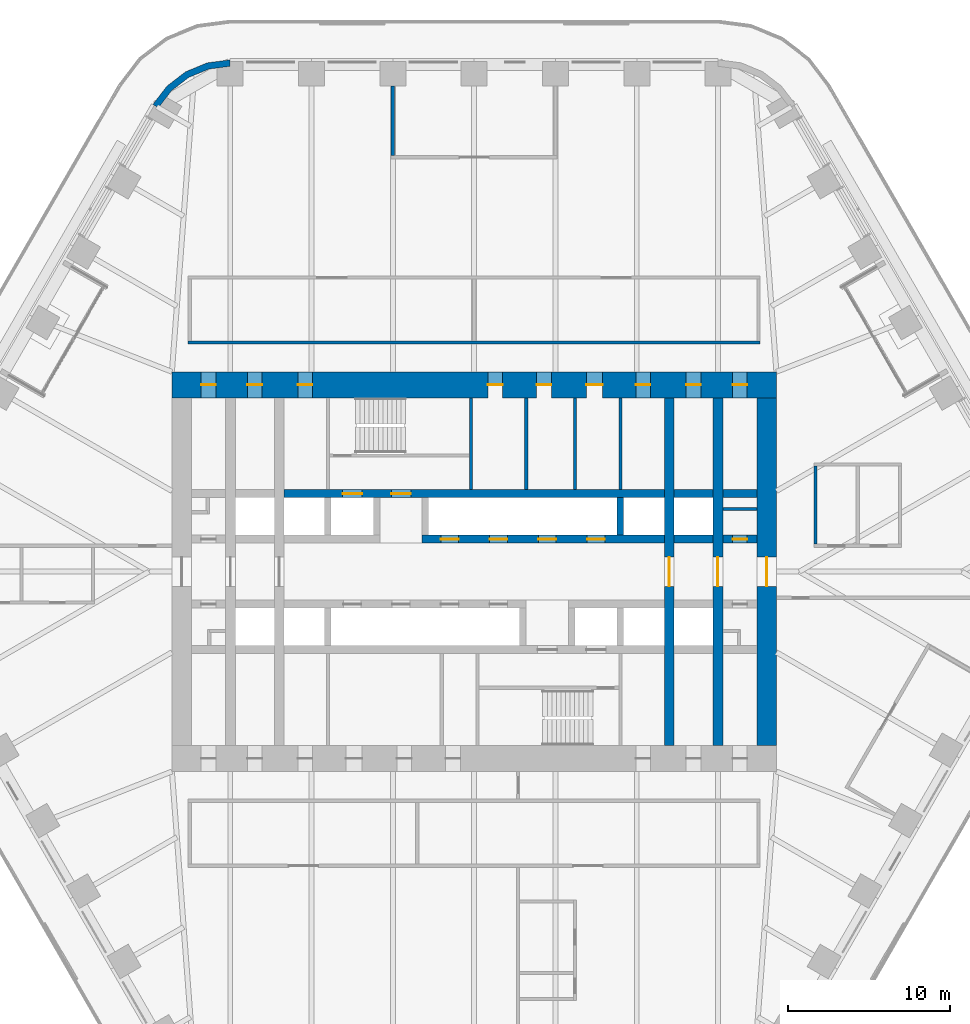
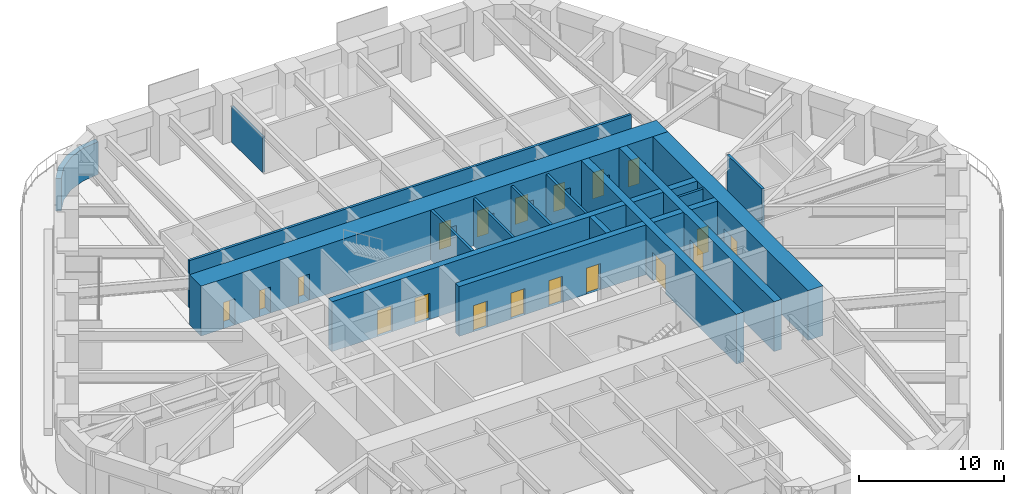
# One storey, part 20 of 24: 20 walls, 19 doors, 19 openings.
"""IFC4 building model written with IfcOpenShell, lengths in metres."""

from ifc_helpers import new_model, si_unit, direction, frame, frame_2d, origin, place, context, subcontext, project, spatial, polyline, rectangle, outline, extrude, material, layer, layer_set, type_object, element, fill, save


model = new_model("IFC4")

# Units and contexts
model_context = context("Model", 3, precision=1e-05, world=origin(), true_north=direction((0.0, 1.0)))
body_context = subcontext(model_context, "Body", "Model", "MODEL_VIEW")
ifc_project = project(units=[si_unit("LENGTHUNIT", "METRE"), si_unit("AREAUNIT", "SQUARE_METRE"), si_unit("VOLUMEUNIT", "CUBIC_METRE"), si_unit("PLANEANGLEUNIT", "RADIAN"), si_unit("MASSUNIT", "GRAM", prefix="KILO")], contexts=[model_context])

# Site, building, storey
site_placement = place(None, origin())
site = spatial("IfcSite", under=ifc_project, at=site_placement, CompositionType="ELEMENT")
building_placement = place(site_placement, origin())
building = spatial("IfcBuilding", under=site, at=building_placement, Name="Tarfa Lantern Tower", CompositionType="ELEMENT")
storey_placement = place(building_placement, frame((0.0, 0.0, 148.89990234375)))
storey = spatial("IfcBuildingStorey", under=building, at=storey_placement, Name="L33", CompositionType="ELEMENT", Elevation=148.89990234375)

# Walls
ifc_material_1 = material(Name="Limestone cladding on blockwork", Category="masonry")
ifc_layer_1 = layer(ifc_material_1, 0.39990234375)
ifc_layer_set_1 = layer_set([ifc_layer_1], Name="EW2 CURVED STONE CORNER 400")
wall_type_1 = type_object("IfcWallType", Name="EW2 CURVED STONE CORNER 400", PredefinedType="SOLIDWALL", material=ifc_layer_set_1)
wall_1_placement = place(storey_placement, origin())
element("IfcWall", 1, at=wall_1_placement, inside=storey, type_object=wall_type_1, Name="Stone corner N-NW", PredefinedType="SOLIDWALL", context=body_context, shape_type="SweptSolid", body=[
    extrude(outline(polyline([(-15.010986328125, 31.5), (-16.4345703125, 31.3125), (-17.760986328125, 30.76318359375), (-18.900146484375, 29.88916015625), (-19.774169921875, 28.75), (-19.427734375, 28.550048828125), (-18.617431640625, 29.606201171875), (-17.56103515625, 30.416748046875), (-16.3310546875, 30.92626953125), (-15.010986328125, 31.10009765625), (-15.010986328125, 31.5)])), origin(), (0.0, 0.0, 1.0), 2.75),
])
ifc_material_2 = material(Name="Concrete blockwork", Category="masonry")
ifc_layer_2 = layer(ifc_material_2, 0.199951171875)
ifc_layer_set_2 = layer_set([ifc_layer_2], Name="IW1 BLOCKWORK PARTITION 200 EI 120")
wall_type_2 = type_object("IfcWallType", Name="IW1 BLOCKWORK PARTITION 200 EI 120", PredefinedType="PARTITIONING", material=ifc_layer_set_2)
for number, where, z_axis, x_axis, name in (
    (2, (9.0, 5.050048828125, 0.0), (0.0, 0.0, 1.0), (0.0, 1.0, 0.0), "Core partition"),
    (3, (3.199951171875, 5.050048828125, 0.0), (0.0, 0.0, 1.0), (0.0, 1.0, 0.0), "Core partition"),
    (4, (6.199951171875, 5.050048828125, 0.0), (0.0, 0.0, 1.0), (0.0, 1.0, 0.0), "Core partition"),
):
    element("IfcWall", number, at=place(storey_placement, frame(where, z_axis=z_axis, x_axis=x_axis)), inside=storey, type_object=wall_type_2, Name=name, PredefinedType="PARTITIONING", context=body_context, shape_type="SweptSolid", body=[
        extrude(rectangle(XDim=5.64990234375, YDim=0.199951171875, at=frame_2d((2.824951171875, 0.0))), origin(), (0.0, 0.0, 1.0), 4.0),
    ])
wall_2_placement = place(storey_placement, frame((15.300048828125, 3.85009765625, 0.0), z_axis=(0.0, 0.0, 1.0), x_axis=(1.0, 0.0, 0.0)))
element("IfcWall", 5, at=wall_2_placement, inside=storey, type_object=wall_type_2, Name="Core partition", PredefinedType="PARTITIONING", context=body_context, shape_type="SweptSolid", body=[
    extrude(rectangle(XDim=2.099853515625, YDim=0.199951171875, at=frame_2d((1.0498046875, 0.0))), origin(), (0.0, 0.0, 1.0), 4.0),
])
ifc_material_3 = material(Name="Gypsum board on steel studs", Category="steel")
ifc_layer_3 = layer(ifc_material_3, 0.2099609375)
ifc_layer_set_3 = layer_set([ifc_layer_3], Name="IW2 ACOUSTIC PARTITION 200")
wall_type_3 = type_object("IfcWallType", Name="IW2 ACOUSTIC PARTITION 200", PredefinedType="PARTITIONING", material=ifc_layer_set_3)
wall_3_placement = place(storey_placement, frame((-17.60009765625, 14.10009765625, 0.0), z_axis=(0.0, 0.0, 1.0), x_axis=(1.0, 0.0, 0.0)))
element("IfcWall", 6, at=wall_3_placement, inside=storey, type_object=wall_type_3, Name="Partition", PredefinedType="PARTITIONING", context=body_context, shape_type="SweptSolid", body=[
    extrude(rectangle(XDim=35.2001953125, YDim=0.199951171875, at=frame_2d((17.60009765625, 0.0))), origin(), (0.0, 0.0, 1.0), 4.0),
])
wall_4_placement = place(storey_placement, frame((-5.003662109375, 25.60009765625, 0.0), z_axis=(0.0, 0.0, 1.0), x_axis=(0.0, 1.0, 0.0)))
element("IfcWall", 7, at=wall_4_placement, inside=storey, type_object=wall_type_3, Name="Partition", PredefinedType="PARTITIONING", context=body_context, shape_type="SweptSolid", body=[
    extrude(rectangle(XDim=4.2998046875, YDim=0.199951171875, at=frame_2d((2.14990234375, 0.0))), origin(), (0.0, 0.0, 1.0), 2.991943359375),
])
wall_5_placement = place(storey_placement, frame((21.0, 1.699951171875, 0.0), z_axis=(0.0, 0.0, 1.0), x_axis=(0.0, 1.0, 0.0)))
element("IfcWall", 8, at=wall_5_placement, inside=storey, type_object=wall_type_3, Name="Partition", PredefinedType="PARTITIONING", context=body_context, shape_type="SweptSolid", body=[
    extrude(rectangle(XDim=4.800048828125, YDim=0.199951171875, at=frame_2d((2.39990234375, 0.0))), origin(), (0.0, 0.0, 1.0), 4.0),
])

# Wall, opening, door
ifc_material_4 = material(Name="Concrete C80/95", Category="concrete")
ifc_layer_4 = layer(ifc_material_4, 1.199951171875)
ifc_layer_set_4 = layer_set([ifc_layer_4], Name="SW1 CORE WALL 1200")
wall_type_4 = type_object("IfcWallType", Name="SW1 CORE WALL 1200", PredefinedType="SHEAR", material=ifc_layer_set_4)
wall_6_placement = place(storey_placement, frame((18.0, -10.699951171875, 0.0), z_axis=(0.0, 0.0, 1.0), x_axis=(0.0, 1.0, 0.0)))
wall_6 = element("IfcWall", 9, at=wall_6_placement, inside=storey, type_object=wall_type_4, Name="Core wall E", PredefinedType="SHEAR", context=body_context, shape_type="SweptSolid", body=[
    extrude(rectangle(XDim=21.39990234375, YDim=1.199951171875, at=frame_2d((10.699951171875, 0.0))), origin(), (0.0, 0.0, 1.0), 4.2001953125),
])
opening_1_placement = place(wall_6_placement, frame((9.800048828125, 0.0, 0.0)))
opening_1 = element("IfcOpeningElement", 10, at=opening_1_placement, cuts=wall_6, Name="Opening D15", PredefinedType="OPENING", context=body_context, shape_type="SweptSolid", body=[
    extrude(rectangle(XDim=1.800048828125, YDim=2.39990234375, at=frame_2d((0.89990234375, 1.199951171875))), frame((0.0, 0.60986328125, 0.0), z_axis=(0.0, -1.0, 0.0), x_axis=(1.0, 0.0, 0.0)), (0.0, 0.0, 1.0), 1.219970703125),
])
ifc_material_5 = material(Name="Steel fire door", Category="steel")
door_type_1 = type_object("IfcDoorType", Name="DL1 LOBBY DOOR 1800x2400", OperationType="DOUBLE_DOOR_SINGLE_SWING", PredefinedType="DOOR", material=ifc_material_5)
door_1_placement = place(opening_1_placement, frame((1.800048828125, 0.0, 0.0), z_axis=(0.0, 0.0, 1.0), x_axis=(-1.0, 0.0, 0.0)))
door_1 = element("IfcDoor", 11, at=door_1_placement, inside=storey, type_object=door_type_1, Name="Lift lobby door", OperationType="DOUBLE_DOOR_SINGLE_SWING", OverallHeight=2.39990234375, OverallWidth=1.800048828125, PredefinedType="DOOR", context=body_context, shape_type="SweptSolid", body=[
    extrude(rectangle(XDim=1.800048828125, YDim=2.39990234375, at=frame_2d((0.89990234375, 1.199951171875))), frame((0.0, 0.02490234375, 0.0), z_axis=(0.0, -1.0, 0.0), x_axis=(1.0, 0.0, 0.0)), (0.0, 0.0, 1.0), 0.050048828125),
])
fill(opening_1, door_1)

# Wall
ifc_layer_5 = layer(ifc_material_4, 0.199951171875)
ifc_layer_set_5 = layer_set([ifc_layer_5], Name="SW12 CORE WALL 200")
wall_type_5 = type_object("IfcWallType", Name="SW12 CORE WALL 200", PredefinedType="SHEAR", material=ifc_layer_set_5)
wall_7_placement = place(storey_placement, frame((-0.199951171875, 5.050048828125, 0.0), z_axis=(0.0, 0.0, 1.0), x_axis=(0.0, 1.0, 0.0)))
element("IfcWall", 12, at=wall_7_placement, inside=storey, type_object=wall_type_5, Name="Core wall stair shaft N", PredefinedType="SHEAR", context=body_context, shape_type="SweptSolid", body=[
    extrude(rectangle(XDim=5.64990234375, YDim=0.199951171875, at=frame_2d((2.824951171875, 0.0))), origin(), (0.0, 0.0, 1.0), 4.2001953125),
])

# Wall, openings, doors
ifc_layer_6 = layer(ifc_material_4, 0.5)
ifc_layer_set_6 = layer_set([ifc_layer_6], Name="SW5 CORE WALL 500")
wall_type_6 = type_object("IfcWallType", Name="SW5 CORE WALL 500", PredefinedType="SHEAR", material=ifc_layer_set_6)
wall_8_placement = place(storey_placement, frame((-3.199951171875, 2.0, 0.0), z_axis=(0.0, 0.0, 1.0), x_axis=(1.0, 0.0, 0.0)))
wall_8 = element("IfcWall", 13, at=wall_8_placement, inside=storey, type_object=wall_type_6, Name="Core wall lobby east N", PredefinedType="SHEAR", context=body_context, shape_type="SweptSolid", body=[
    extrude(rectangle(XDim=14.89990234375, YDim=0.5, at=frame_2d((7.449951171875, 0.0))), origin(), (0.0, 0.0, 1.0), 4.2001953125),
])
opening_2_placement = place(wall_8_placement, frame((1.14990234375, 0.0, 0.0)))
opening_2 = element("IfcOpeningElement", 14, at=opening_2_placement, cuts=wall_8, Name="Opening LD03", PredefinedType="OPENING", context=body_context, shape_type="SweptSolid", body=[
    extrude(rectangle(XDim=1.10009765625, YDim=2.199951171875, at=frame_2d((0.550048828125, 1.10009765625))), frame((0.0, 0.260009765625, 0.0), z_axis=(0.0, -1.0, 0.0), x_axis=(1.0, 0.0, 0.0)), (0.0, 0.0, 1.0), 0.52001953125),
])
opening_3_placement = place(wall_8_placement, frame((4.14990234375, 0.0, 0.0)))
opening_3 = element("IfcOpeningElement", 15, at=opening_3_placement, cuts=wall_8, Name="Opening LD04", PredefinedType="OPENING", context=body_context, shape_type="SweptSolid", body=[
    extrude(rectangle(XDim=1.10009765625, YDim=2.199951171875, at=frame_2d((0.550048828125, 1.10009765625))), frame((0.0, 0.260009765625, 0.0), z_axis=(0.0, -1.0, 0.0), x_axis=(1.0, 0.0, 0.0)), (0.0, 0.0, 1.0), 0.52001953125),
])
opening_4_placement = place(wall_8_placement, frame((7.14990234375, 0.0, 0.0)))
opening_4 = element("IfcOpeningElement", 16, at=opening_4_placement, cuts=wall_8, Name="Opening LD05", PredefinedType="OPENING", context=body_context, shape_type="SweptSolid", body=[
    extrude(rectangle(XDim=1.10009765625, YDim=2.199951171875, at=frame_2d((0.550048828125, 1.10009765625))), frame((0.0, 0.260009765625, 0.0), z_axis=(0.0, -1.0, 0.0), x_axis=(1.0, 0.0, 0.0)), (0.0, 0.0, 1.0), 0.52001953125),
])
opening_5_placement = place(wall_8_placement, frame((10.14990234375, 0.0, 0.0)))
opening_5 = element("IfcOpeningElement", 17, at=opening_5_placement, cuts=wall_8, Name="Opening LD06", PredefinedType="OPENING", context=body_context, shape_type="SweptSolid", body=[
    extrude(rectangle(XDim=1.10009765625, YDim=2.199951171875, at=frame_2d((0.550048828125, 1.10009765625))), frame((0.0, 0.260009765625, 0.0), z_axis=(0.0, -1.0, 0.0), x_axis=(1.0, 0.0, 0.0)), (0.0, 0.0, 1.0), 0.52001953125),
])
ifc_material_6 = material(Name="Stainless steel lift door", Category="steel")
door_type_2 = type_object("IfcDoorType", Name="LD2 LIFT LANDING DOOR 1100x2200", OperationType="SLIDING_TO_LEFT", PredefinedType="DOOR", material=ifc_material_6)
door_2_placement = place(opening_2_placement, frame((1.10009765625, 0.0, 0.0), z_axis=(0.0, 0.0, 1.0), x_axis=(-1.0, 0.0, 0.0)))
door_2 = element("IfcDoor", 18, at=door_2_placement, inside=storey, type_object=door_type_2, Name="Landing door PB1", OperationType="SLIDING_TO_LEFT", OverallHeight=2.199951171875, OverallWidth=1.10009765625, PredefinedType="DOOR", context=body_context, shape_type="SweptSolid", body=[
    extrude(rectangle(XDim=1.10009765625, YDim=2.199951171875, at=frame_2d((0.550048828125, 1.10009765625))), frame((0.0, 0.02490234375, 0.0), z_axis=(0.0, -1.0, 0.0), x_axis=(1.0, 0.0, 0.0)), (0.0, 0.0, 1.0), 0.050048828125),
])
fill(opening_2, door_2)
door_3_placement = place(opening_3_placement, frame((1.10009765625, 0.0, 0.0), z_axis=(0.0, 0.0, 1.0), x_axis=(-1.0, 0.0, 0.0)))
door_3 = element("IfcDoor", 19, at=door_3_placement, inside=storey, type_object=door_type_2, Name="Landing door PB2", OperationType="SLIDING_TO_LEFT", OverallHeight=2.199951171875, OverallWidth=1.10009765625, PredefinedType="DOOR", context=body_context, shape_type="SweptSolid", body=[
    extrude(rectangle(XDim=1.10009765625, YDim=2.199951171875, at=frame_2d((0.550048828125, 1.10009765625))), frame((0.0, 0.02490234375, 0.0), z_axis=(0.0, -1.0, 0.0), x_axis=(1.0, 0.0, 0.0)), (0.0, 0.0, 1.0), 0.050048828125),
])
fill(opening_3, door_3)
door_4_placement = place(opening_4_placement, frame((1.10009765625, 0.0, 0.0), z_axis=(0.0, 0.0, 1.0), x_axis=(-1.0, 0.0, 0.0)))
door_4 = element("IfcDoor", 20, at=door_4_placement, inside=storey, type_object=door_type_2, Name="Landing door PB3", OperationType="SLIDING_TO_LEFT", OverallHeight=2.199951171875, OverallWidth=1.10009765625, PredefinedType="DOOR", context=body_context, shape_type="SweptSolid", body=[
    extrude(rectangle(XDim=1.10009765625, YDim=2.199951171875, at=frame_2d((0.550048828125, 1.10009765625))), frame((0.0, 0.02490234375, 0.0), z_axis=(0.0, -1.0, 0.0), x_axis=(1.0, 0.0, 0.0)), (0.0, 0.0, 1.0), 0.050048828125),
])
fill(opening_4, door_4)
door_5_placement = place(opening_5_placement, frame((1.10009765625, 0.0, 0.0), z_axis=(0.0, 0.0, 1.0), x_axis=(-1.0, 0.0, 0.0)))
door_5 = element("IfcDoor", 21, at=door_5_placement, inside=storey, type_object=door_type_2, Name="Landing door PB4", OperationType="SLIDING_TO_LEFT", OverallHeight=2.199951171875, OverallWidth=1.10009765625, PredefinedType="DOOR", context=body_context, shape_type="SweptSolid", body=[
    extrude(rectangle(XDim=1.10009765625, YDim=2.199951171875, at=frame_2d((0.550048828125, 1.10009765625))), frame((0.0, 0.02490234375, 0.0), z_axis=(0.0, -1.0, 0.0), x_axis=(1.0, 0.0, 0.0)), (0.0, 0.0, 1.0), 0.050048828125),
])
fill(opening_5, door_5)

# Wall
wall_9_placement = place(storey_placement, frame((12.300048828125, 2.0, 0.0), z_axis=(0.0, 0.0, 1.0), x_axis=(1.0, 0.0, 0.0)))
element("IfcWall", 22, at=wall_9_placement, inside=storey, type_object=wall_type_6, Name="Core wall lobby east N", PredefinedType="SHEAR", context=body_context, shape_type="SweptSolid", body=[
    extrude(rectangle(XDim=2.39990234375, YDim=0.5, at=frame_2d((1.199951171875, 0.0))), origin(), (0.0, 0.0, 1.0), 4.2001953125),
])

# Wall, opening, door
wall_10_placement = place(storey_placement, frame((15.300048828125, 2.0, 0.0), z_axis=(0.0, 0.0, 1.0), x_axis=(1.0, 0.0, 0.0)))
wall_10 = element("IfcWall", 23, at=wall_10_placement, inside=storey, type_object=wall_type_6, Name="Core wall lobby east N", PredefinedType="SHEAR", context=body_context, shape_type="SweptSolid", body=[
    extrude(rectangle(XDim=2.099853515625, YDim=0.5, at=frame_2d((1.0498046875, 0.0))), origin(), (0.0, 0.0, 1.0), 4.2001953125),
])
opening_6_placement = place(wall_10_placement, frame((0.60009765625, 0.0, 0.0)))
opening_6 = element("IfcOpeningElement", 24, at=opening_6_placement, cuts=wall_10, Name="Opening D17", PredefinedType="OPENING", context=body_context, shape_type="SweptSolid", body=[
    extrude(rectangle(XDim=0.89990234375, YDim=2.199951171875, at=frame_2d((0.449951171875, 1.10009765625))), frame((0.0, 0.260009765625, 0.0), z_axis=(0.0, -1.0, 0.0), x_axis=(1.0, 0.0, 0.0)), (0.0, 0.0, 1.0), 0.52001953125),
])
door_type_3 = type_object("IfcDoorType", Name="DF6 SERVICE ROOM DOOR 900x2200", OperationType="SINGLE_SWING_LEFT", PredefinedType="DOOR", material=ifc_material_5)
door_6_placement = place(opening_6_placement, origin())
door_6 = element("IfcDoor", 25, at=door_6_placement, inside=storey, type_object=door_type_3, Name="Service room door", OperationType="SINGLE_SWING_LEFT", OverallHeight=2.199951171875, OverallWidth=0.89990234375, PredefinedType="DOOR", context=body_context, shape_type="SweptSolid", body=[
    extrude(rectangle(XDim=0.89990234375, YDim=2.199951171875, at=frame_2d((0.449951171875, 1.10009765625))), frame((0.0, 0.02490234375, 0.0), z_axis=(0.0, -1.0, 0.0), x_axis=(1.0, 0.0, 0.0)), (0.0, 0.0, 1.0), 0.050048828125),
])
fill(opening_6, door_6)

# Wall, openings, doors
wall_11_placement = place(storey_placement, frame((-11.699951171875, 4.800048828125, 0.0), z_axis=(0.0, 0.0, 1.0), x_axis=(1.0, 0.0, 0.0)))
wall_11 = element("IfcWall", 26, at=wall_11_placement, inside=storey, type_object=wall_type_6, Name="Core wall rear N", PredefinedType="SHEAR", context=body_context, shape_type="SweptSolid", body=[
    extrude(rectangle(XDim=23.39990234375, YDim=0.5, at=frame_2d((11.699951171875, 0.0))), origin(), (0.0, 0.0, 1.0), 4.2001953125),
])
opening_7_placement = place(wall_11_placement, frame((6.60009765625, 0.0, 0.0)))
opening_7 = element("IfcOpeningElement", 27, at=opening_7_placement, cuts=wall_11, Name="Opening D13", PredefinedType="OPENING", context=body_context, shape_type="SweptSolid", body=[
    extrude(rectangle(XDim=1.199951171875, YDim=2.199951171875, at=frame_2d((0.60009765625, 1.10009765625))), frame((0.0, 0.260009765625, 0.0), z_axis=(0.0, -1.0, 0.0), x_axis=(1.0, 0.0, 0.0)), (0.0, 0.0, 1.0), 0.52001953125),
])
opening_8_placement = place(wall_11_placement, frame((3.60009765625, 0.0, 0.0)))
opening_8 = element("IfcOpeningElement", 28, at=opening_8_placement, cuts=wall_11, Name="Opening LD01", PredefinedType="OPENING", context=body_context, shape_type="SweptSolid", body=[
    extrude(rectangle(XDim=1.199951171875, YDim=2.199951171875, at=frame_2d((0.60009765625, 1.10009765625))), frame((0.0, 0.260009765625, 0.0), z_axis=(0.0, -1.0, 0.0), x_axis=(1.0, 0.0, 0.0)), (0.0, 0.0, 1.0), 0.52001953125),
])
door_type_4 = type_object("IfcDoorType", Name="DF1 FIREFIGHTING LOBBY DOOR 1200x2200", OperationType="SINGLE_SWING_LEFT", PredefinedType="DOOR", material=ifc_material_5)
door_7_placement = place(opening_7_placement, origin())
door_7 = element("IfcDoor", 29, at=door_7_placement, inside=storey, type_object=door_type_4, Name="Firefighting lobby door", OperationType="SINGLE_SWING_LEFT", OverallHeight=2.199951171875, OverallWidth=1.199951171875, PredefinedType="DOOR", context=body_context, shape_type="SweptSolid", body=[
    extrude(rectangle(XDim=1.199951171875, YDim=2.199951171875, at=frame_2d((0.60009765625, 1.10009765625))), frame((0.0, 0.02490234375, 0.0), z_axis=(0.0, -1.0, 0.0), x_axis=(1.0, 0.0, 0.0)), (0.0, 0.0, 1.0), 0.050048828125),
])
fill(opening_7, door_7)
door_type_5 = type_object("IfcDoorType", Name="LD1 LIFT LANDING DOOR 1200x2200", OperationType="SLIDING_TO_LEFT", PredefinedType="DOOR", material=ifc_material_6)
door_8_placement = place(opening_8_placement, origin())
door_8 = element("IfcDoor", 30, at=door_8_placement, inside=storey, type_object=door_type_5, Name="Landing door FL1", OperationType="SLIDING_TO_LEFT", OverallHeight=2.199951171875, OverallWidth=1.199951171875, PredefinedType="DOOR", context=body_context, shape_type="SweptSolid", body=[
    extrude(rectangle(XDim=1.199951171875, YDim=2.199951171875, at=frame_2d((0.60009765625, 1.10009765625))), frame((0.0, 0.02490234375, 0.0), z_axis=(0.0, -1.0, 0.0), x_axis=(1.0, 0.0, 0.0)), (0.0, 0.0, 1.0), 0.050048828125),
])
fill(opening_8, door_8)

# Walls
wall_12_placement = place(storey_placement, frame((12.300048828125, 4.800048828125, 0.0), z_axis=(0.0, 0.0, 1.0), x_axis=(1.0, 0.0, 0.0)))
element("IfcWall", 31, at=wall_12_placement, inside=storey, type_object=wall_type_6, Name="Core wall rear N", PredefinedType="SHEAR", context=body_context, shape_type="SweptSolid", body=[
    extrude(rectangle(XDim=2.39990234375, YDim=0.5, at=frame_2d((1.199951171875, 0.0))), origin(), (0.0, 0.0, 1.0), 4.2001953125),
])
wall_13_placement = place(storey_placement, frame((15.300048828125, 4.800048828125, 0.0), z_axis=(0.0, 0.0, 1.0), x_axis=(1.0, 0.0, 0.0)))
element("IfcWall", 32, at=wall_13_placement, inside=storey, type_object=wall_type_6, Name="Core wall rear N", PredefinedType="SHEAR", context=body_context, shape_type="SweptSolid", body=[
    extrude(rectangle(XDim=2.099853515625, YDim=0.5, at=frame_2d((1.0498046875, 0.0))), origin(), (0.0, 0.0, 1.0), 4.2001953125),
])
ifc_layer_7 = layer(ifc_material_4, 0.39990234375)
ifc_layer_set_7 = layer_set([ifc_layer_7], Name="SW6 CORE WALL 400")
wall_type_7 = type_object("IfcWallType", Name="SW6 CORE WALL 400", PredefinedType="SHEAR", material=ifc_layer_set_7)
wall_14_placement = place(storey_placement, frame((9.0, 2.25, 0.0), z_axis=(0.0, 0.0, 1.0), x_axis=(0.0, 1.0, 0.0)))
element("IfcWall", 33, at=wall_14_placement, inside=storey, type_object=wall_type_7, Name="Core wall divider N", PredefinedType="SHEAR", context=body_context, shape_type="SweptSolid", body=[
    extrude(rectangle(XDim=2.300048828125, YDim=0.39990234375, at=frame_2d((1.14990234375, 0.0))), origin(), (0.0, 0.0, 1.0), 4.2001953125),
])

# Wall, openings, doors
ifc_layer_8 = layer(ifc_material_4, 1.60009765625)
ifc_layer_set_8 = layer_set([ifc_layer_8], Name="SW7 CORE WALL 1600")
wall_type_8 = type_object("IfcWallType", Name="SW7 CORE WALL 1600", PredefinedType="SHEAR", material=ifc_layer_set_8)
wall_15_placement = place(storey_placement, frame((-18.60009765625, 11.5, 0.0), z_axis=(0.0, 0.0, 1.0), x_axis=(1.0, 0.0, 0.0)))
wall_15 = element("IfcWall", 34, at=wall_15_placement, inside=storey, type_object=wall_type_8, Name="Core wall N", PredefinedType="SHEAR", context=body_context, shape_type="SweptSolid", body=[
    extrude(rectangle(XDim=37.2001953125, YDim=1.60009765625, at=frame_2d((18.60009765625, 0.0))), origin(), (0.0, 0.0, 1.0), 4.2001953125),
])
opening_9_placement = place(wall_15_placement, frame((19.449951171875, 0.0, 0.0)))
opening_9 = element("IfcOpeningElement", 35, at=opening_9_placement, cuts=wall_15, Name="Opening D21", PredefinedType="OPENING", context=body_context, shape_type="SweptSolid", body=[
    extrude(rectangle(XDim=0.89990234375, YDim=2.199951171875, at=frame_2d((0.449951171875, 1.10009765625))), frame((0.0, 0.81005859375, 0.0), z_axis=(0.0, -1.0, 0.0), x_axis=(1.0, 0.0, 0.0)), (0.0, 0.0, 1.0), 1.6201171875),
])
opening_10_placement = place(wall_15_placement, frame((22.449951171875, 0.0, 0.0)))
opening_10 = element("IfcOpeningElement", 36, at=opening_10_placement, cuts=wall_15, Name="Opening D23", PredefinedType="OPENING", context=body_context, shape_type="SweptSolid", body=[
    extrude(rectangle(XDim=0.89990234375, YDim=2.199951171875, at=frame_2d((0.449951171875, 1.10009765625))), frame((0.0, 0.81005859375, 0.0), z_axis=(0.0, -1.0, 0.0), x_axis=(1.0, 0.0, 0.0)), (0.0, 0.0, 1.0), 1.6201171875),
])
opening_11_placement = place(wall_15_placement, frame((25.5, 0.0, 0.0)))
opening_11 = element("IfcOpeningElement", 37, at=opening_11_placement, cuts=wall_15, Name="Opening D25", PredefinedType="OPENING", context=body_context, shape_type="SweptSolid", body=[
    extrude(rectangle(XDim=1.0, YDim=2.199951171875, at=frame_2d((0.5, 1.10009765625))), frame((0.0, 0.81005859375, 0.0), z_axis=(0.0, -1.0, 0.0), x_axis=(1.0, 0.0, 0.0)), (0.0, 0.0, 1.0), 1.6201171875),
])
opening_12_placement = place(wall_15_placement, frame((1.800048828125, 0.0, 0.0)))
opening_12 = element("IfcOpeningElement", 38, at=opening_12_placement, cuts=wall_15, Name="Opening D11", PredefinedType="OPENING", context=body_context, shape_type="SweptSolid", body=[
    extrude(rectangle(XDim=0.89990234375, YDim=2.199951171875, at=frame_2d((0.449951171875, 1.10009765625))), frame((0.0, 0.81005859375, 0.0), z_axis=(0.0, -1.0, 0.0), x_axis=(1.0, 0.0, 0.0)), (0.0, 0.0, 1.0), 1.6201171875),
])
opening_13_placement = place(wall_15_placement, frame((4.64990234375, 0.0, 0.0)))
opening_13 = element("IfcOpeningElement", 39, at=opening_13_placement, cuts=wall_15, Name="Opening D07", PredefinedType="OPENING", context=body_context, shape_type="SweptSolid", body=[
    extrude(rectangle(XDim=0.89990234375, YDim=2.199951171875, at=frame_2d((0.449951171875, 1.10009765625))), frame((0.0, 0.81005859375, 0.0), z_axis=(0.0, -1.0, 0.0), x_axis=(1.0, 0.0, 0.0)), (0.0, 0.0, 1.0), 1.6201171875),
])
opening_14_placement = place(wall_15_placement, frame((7.75, 0.0, 0.0)))
opening_14 = element("IfcOpeningElement", 40, at=opening_14_placement, cuts=wall_15, Name="Opening D09", PredefinedType="OPENING", context=body_context, shape_type="SweptSolid", body=[
    extrude(rectangle(XDim=0.89990234375, YDim=2.199951171875, at=frame_2d((0.449951171875, 1.10009765625))), frame((0.0, 0.81005859375, 0.0), z_axis=(0.0, -1.0, 0.0), x_axis=(1.0, 0.0, 0.0)), (0.0, 0.0, 1.0), 1.6201171875),
])
opening_15_placement = place(wall_15_placement, frame((28.550048828125, 0.0, 0.0)))
opening_15 = element("IfcOpeningElement", 41, at=opening_15_placement, cuts=wall_15, Name="Opening D05", PredefinedType="OPENING", context=body_context, shape_type="SweptSolid", body=[
    extrude(rectangle(XDim=0.89990234375, YDim=2.199951171875, at=frame_2d((0.449951171875, 1.10009765625))), frame((0.0, 0.81005859375, 0.0), z_axis=(0.0, -1.0, 0.0), x_axis=(1.0, 0.0, 0.0)), (0.0, 0.0, 1.0), 1.6201171875),
])
opening_16_placement = place(wall_15_placement, frame((31.64990234375, 0.0, 0.0)))
opening_16 = element("IfcOpeningElement", 42, at=opening_16_placement, cuts=wall_15, Name="Opening D01", PredefinedType="OPENING", context=body_context, shape_type="SweptSolid", body=[
    extrude(rectangle(XDim=0.89990234375, YDim=2.199951171875, at=frame_2d((0.449951171875, 1.10009765625))), frame((0.0, 0.81005859375, 0.0), z_axis=(0.0, -1.0, 0.0), x_axis=(1.0, 0.0, 0.0)), (0.0, 0.0, 1.0), 1.6201171875),
])
opening_17_placement = place(wall_15_placement, frame((34.5, 0.0, 0.0)))
opening_17 = element("IfcOpeningElement", 43, at=opening_17_placement, cuts=wall_15, Name="Opening D03", PredefinedType="OPENING", context=body_context, shape_type="SweptSolid", body=[
    extrude(rectangle(XDim=0.89990234375, YDim=2.199951171875, at=frame_2d((0.449951171875, 1.10009765625))), frame((0.0, 0.81005859375, 0.0), z_axis=(0.0, -1.0, 0.0), x_axis=(1.0, 0.0, 0.0)), (0.0, 0.0, 1.0), 1.6201171875),
])
door_type_6 = type_object("IfcDoorType", Name="DF3 CORE ROOM DOOR 900x2200", OperationType="SINGLE_SWING_LEFT", PredefinedType="DOOR", material=ifc_material_5)
door_9_placement = place(opening_9_placement, frame((0.89990234375, 0.0, 0.0), z_axis=(0.0, 0.0, 1.0), x_axis=(-1.0, 0.0, 0.0)))
door_9 = element("IfcDoor", 44, at=door_9_placement, inside=storey, type_object=door_type_6, Name="Core door", OperationType="SINGLE_SWING_LEFT", OverallHeight=2.199951171875, OverallWidth=0.89990234375, PredefinedType="DOOR", context=body_context, shape_type="SweptSolid", body=[
    extrude(rectangle(XDim=0.89990234375, YDim=2.199951171875, at=frame_2d((0.449951171875, 1.10009765625))), frame((0.0, 0.02490234375, 0.0), z_axis=(0.0, -1.0, 0.0), x_axis=(1.0, 0.0, 0.0)), (0.0, 0.0, 1.0), 0.050048828125),
])
fill(opening_9, door_9)
door_10_placement = place(opening_10_placement, frame((0.89990234375, 0.0, 0.0), z_axis=(0.0, 0.0, 1.0), x_axis=(-1.0, 0.0, 0.0)))
door_10 = element("IfcDoor", 45, at=door_10_placement, inside=storey, type_object=door_type_6, Name="Core door", OperationType="SINGLE_SWING_LEFT", OverallHeight=2.199951171875, OverallWidth=0.89990234375, PredefinedType="DOOR", context=body_context, shape_type="SweptSolid", body=[
    extrude(rectangle(XDim=0.89990234375, YDim=2.199951171875, at=frame_2d((0.449951171875, 1.10009765625))), frame((0.0, 0.02490234375, 0.0), z_axis=(0.0, -1.0, 0.0), x_axis=(1.0, 0.0, 0.0)), (0.0, 0.0, 1.0), 0.050048828125),
])
fill(opening_10, door_10)
door_type_7 = type_object("IfcDoorType", Name="DF4 CORE ROOM DOOR 1000x2200", OperationType="SINGLE_SWING_LEFT", PredefinedType="DOOR", material=ifc_material_5)
door_11_placement = place(opening_11_placement, frame((1.0, 0.0, 0.0), z_axis=(0.0, 0.0, 1.0), x_axis=(-1.0, 0.0, 0.0)))
door_11 = element("IfcDoor", 46, at=door_11_placement, inside=storey, type_object=door_type_7, Name="Core door", OperationType="SINGLE_SWING_LEFT", OverallHeight=2.199951171875, OverallWidth=1.0, PredefinedType="DOOR", context=body_context, shape_type="SweptSolid", body=[
    extrude(rectangle(XDim=1.0, YDim=2.199951171875, at=frame_2d((0.5, 1.10009765625))), frame((0.0, 0.02490234375, 0.0), z_axis=(0.0, -1.0, 0.0), x_axis=(1.0, 0.0, 0.0)), (0.0, 0.0, 1.0), 0.050048828125),
])
fill(opening_11, door_11)
door_type_8 = type_object("IfcDoorType", Name="DF5 RISER DOOR 900x2200", OperationType="SINGLE_SWING_LEFT", PredefinedType="DOOR", material=ifc_material_5)
door_12_placement = place(opening_12_placement, frame((0.89990234375, 0.0, 0.0), z_axis=(0.0, 0.0, 1.0), x_axis=(-1.0, 0.0, 0.0)))
door_12 = element("IfcDoor", 47, at=door_12_placement, inside=storey, type_object=door_type_8, Name="Riser door", OperationType="SINGLE_SWING_LEFT", OverallHeight=2.199951171875, OverallWidth=0.89990234375, PredefinedType="DOOR", context=body_context, shape_type="SweptSolid", body=[
    extrude(rectangle(XDim=0.89990234375, YDim=2.199951171875, at=frame_2d((0.449951171875, 1.10009765625))), frame((0.0, 0.02490234375, 0.0), z_axis=(0.0, -1.0, 0.0), x_axis=(1.0, 0.0, 0.0)), (0.0, 0.0, 1.0), 0.050048828125),
])
fill(opening_12, door_12)
door_13_placement = place(opening_13_placement, frame((0.89990234375, 0.0, 0.0), z_axis=(0.0, 0.0, 1.0), x_axis=(-1.0, 0.0, 0.0)))
door_13 = element("IfcDoor", 48, at=door_13_placement, inside=storey, type_object=door_type_8, Name="Riser door", OperationType="SINGLE_SWING_LEFT", OverallHeight=2.199951171875, OverallWidth=0.89990234375, PredefinedType="DOOR", context=body_context, shape_type="SweptSolid", body=[
    extrude(rectangle(XDim=0.89990234375, YDim=2.199951171875, at=frame_2d((0.449951171875, 1.10009765625))), frame((0.0, 0.02490234375, 0.0), z_axis=(0.0, -1.0, 0.0), x_axis=(1.0, 0.0, 0.0)), (0.0, 0.0, 1.0), 0.050048828125),
])
fill(opening_13, door_13)
door_14_placement = place(opening_14_placement, frame((0.89990234375, 0.0, 0.0), z_axis=(0.0, 0.0, 1.0), x_axis=(-1.0, 0.0, 0.0)))
door_14 = element("IfcDoor", 49, at=door_14_placement, inside=storey, type_object=door_type_8, Name="Riser door", OperationType="SINGLE_SWING_LEFT", OverallHeight=2.199951171875, OverallWidth=0.89990234375, PredefinedType="DOOR", context=body_context, shape_type="SweptSolid", body=[
    extrude(rectangle(XDim=0.89990234375, YDim=2.199951171875, at=frame_2d((0.449951171875, 1.10009765625))), frame((0.0, 0.02490234375, 0.0), z_axis=(0.0, -1.0, 0.0), x_axis=(1.0, 0.0, 0.0)), (0.0, 0.0, 1.0), 0.050048828125),
])
fill(opening_14, door_14)
door_15_placement = place(opening_15_placement, frame((0.89990234375, 0.0, 0.0), z_axis=(0.0, 0.0, 1.0), x_axis=(-1.0, 0.0, 0.0)))
door_15 = element("IfcDoor", 50, at=door_15_placement, inside=storey, type_object=door_type_8, Name="Riser door", OperationType="SINGLE_SWING_RIGHT", OverallHeight=2.199951171875, OverallWidth=0.89990234375, PredefinedType="DOOR", context=body_context, shape_type="SweptSolid", body=[
    extrude(rectangle(XDim=0.89990234375, YDim=2.199951171875, at=frame_2d((0.449951171875, 1.10009765625))), frame((0.0, 0.02490234375, 0.0), z_axis=(0.0, -1.0, 0.0), x_axis=(1.0, 0.0, 0.0)), (0.0, 0.0, 1.0), 0.050048828125),
])
fill(opening_15, door_15)
door_16_placement = place(opening_16_placement, frame((0.89990234375, 0.0, 0.0), z_axis=(0.0, 0.0, 1.0), x_axis=(-1.0, 0.0, 0.0)))
door_16 = element("IfcDoor", 51, at=door_16_placement, inside=storey, type_object=door_type_8, Name="Riser door", OperationType="SINGLE_SWING_RIGHT", OverallHeight=2.199951171875, OverallWidth=0.89990234375, PredefinedType="DOOR", context=body_context, shape_type="SweptSolid", body=[
    extrude(rectangle(XDim=0.89990234375, YDim=2.199951171875, at=frame_2d((0.449951171875, 1.10009765625))), frame((0.0, 0.02490234375, 0.0), z_axis=(0.0, -1.0, 0.0), x_axis=(1.0, 0.0, 0.0)), (0.0, 0.0, 1.0), 0.050048828125),
])
fill(opening_16, door_16)
door_17_placement = place(opening_17_placement, frame((0.89990234375, 0.0, 0.0), z_axis=(0.0, 0.0, 1.0), x_axis=(-1.0, 0.0, 0.0)))
door_17 = element("IfcDoor", 52, at=door_17_placement, inside=storey, type_object=door_type_8, Name="Riser door", OperationType="SINGLE_SWING_RIGHT", OverallHeight=2.199951171875, OverallWidth=0.89990234375, PredefinedType="DOOR", context=body_context, shape_type="SweptSolid", body=[
    extrude(rectangle(XDim=0.89990234375, YDim=2.199951171875, at=frame_2d((0.449951171875, 1.10009765625))), frame((0.0, 0.02490234375, 0.0), z_axis=(0.0, -1.0, 0.0), x_axis=(1.0, 0.0, 0.0)), (0.0, 0.0, 1.0), 0.050048828125),
])
fill(opening_17, door_17)

# Wall, opening, door
ifc_layer_9 = layer(ifc_material_4, 0.60009765625)
ifc_layer_set_9 = layer_set([ifc_layer_9], Name="SW9 CORE WALL 600")
wall_type_9 = type_object("IfcWallType", Name="SW9 CORE WALL 600", PredefinedType="SHEAR", material=ifc_layer_set_9)
wall_16_placement = place(storey_placement, frame((12.0, -10.699951171875, 0.0), z_axis=(0.0, 0.0, 1.0), x_axis=(0.0, 1.0, 0.0)))
wall_16 = element("IfcWall", 53, at=wall_16_placement, inside=storey, type_object=wall_type_9, Name="Core wall cross 12 m east", PredefinedType="SHEAR", context=body_context, shape_type="SweptSolid", body=[
    extrude(rectangle(XDim=21.39990234375, YDim=0.60009765625, at=frame_2d((10.699951171875, 0.0))), origin(), (0.0, 0.0, 1.0), 4.2001953125),
])
opening_18_placement = place(wall_16_placement, frame((9.800048828125, 0.0, 0.0)))
opening_18 = element("IfcOpeningElement", 54, at=opening_18_placement, cuts=wall_16, Name="Opening D29", PredefinedType="OPENING", context=body_context, shape_type="SweptSolid", body=[
    extrude(rectangle(XDim=1.800048828125, YDim=2.39990234375, at=frame_2d((0.89990234375, 1.199951171875))), frame((0.0, 0.31005859375, 0.0), z_axis=(0.0, -1.0, 0.0), x_axis=(1.0, 0.0, 0.0)), (0.0, 0.0, 1.0), 0.6201171875),
])
door_18_placement = place(opening_18_placement, origin())
door_18 = element("IfcDoor", 55, at=door_18_placement, inside=storey, type_object=door_type_1, Name="Lift lobby door", OperationType="DOUBLE_DOOR_SINGLE_SWING", OverallHeight=2.39990234375, OverallWidth=1.800048828125, PredefinedType="DOOR", context=body_context, shape_type="SweptSolid", body=[
    extrude(rectangle(XDim=1.800048828125, YDim=2.39990234375, at=frame_2d((0.89990234375, 1.199951171875))), frame((0.0, 0.02490234375, 0.0), z_axis=(0.0, -1.0, 0.0), x_axis=(1.0, 0.0, 0.0)), (0.0, 0.0, 1.0), 0.050048828125),
])
fill(opening_18, door_18)

wall_17_placement = place(storey_placement, frame((15.0, -10.699951171875, 0.0), z_axis=(0.0, 0.0, 1.0), x_axis=(0.0, 1.0, 0.0)))
wall_17 = element("IfcWall", 56, at=wall_17_placement, inside=storey, type_object=wall_type_9, Name="Core wall cross 15 m east", PredefinedType="SHEAR", context=body_context, shape_type="SweptSolid", body=[
    extrude(rectangle(XDim=21.39990234375, YDim=0.60009765625, at=frame_2d((10.699951171875, 0.0))), origin(), (0.0, 0.0, 1.0), 4.2001953125),
])
opening_19_placement = place(wall_17_placement, frame((9.800048828125, 0.0, 0.0)))
opening_19 = element("IfcOpeningElement", 57, at=opening_19_placement, cuts=wall_17, Name="Opening D30", PredefinedType="OPENING", context=body_context, shape_type="SweptSolid", body=[
    extrude(rectangle(XDim=1.800048828125, YDim=2.39990234375, at=frame_2d((0.89990234375, 1.199951171875))), frame((0.0, 0.31005859375, 0.0), z_axis=(0.0, -1.0, 0.0), x_axis=(1.0, 0.0, 0.0)), (0.0, 0.0, 1.0), 0.6201171875),
])
door_19_placement = place(opening_19_placement, origin())
door_19 = element("IfcDoor", 58, at=door_19_placement, inside=storey, type_object=door_type_1, Name="Lift lobby door", OperationType="DOUBLE_DOOR_SINGLE_SWING", OverallHeight=2.39990234375, OverallWidth=1.800048828125, PredefinedType="DOOR", context=body_context, shape_type="SweptSolid", body=[
    extrude(rectangle(XDim=1.800048828125, YDim=2.39990234375, at=frame_2d((0.89990234375, 1.199951171875))), frame((0.0, 0.02490234375, 0.0), z_axis=(0.0, -1.0, 0.0), x_axis=(1.0, 0.0, 0.0)), (0.0, 0.0, 1.0), 0.050048828125),
])
fill(opening_19, door_19)

save(model, "model.ifc")
